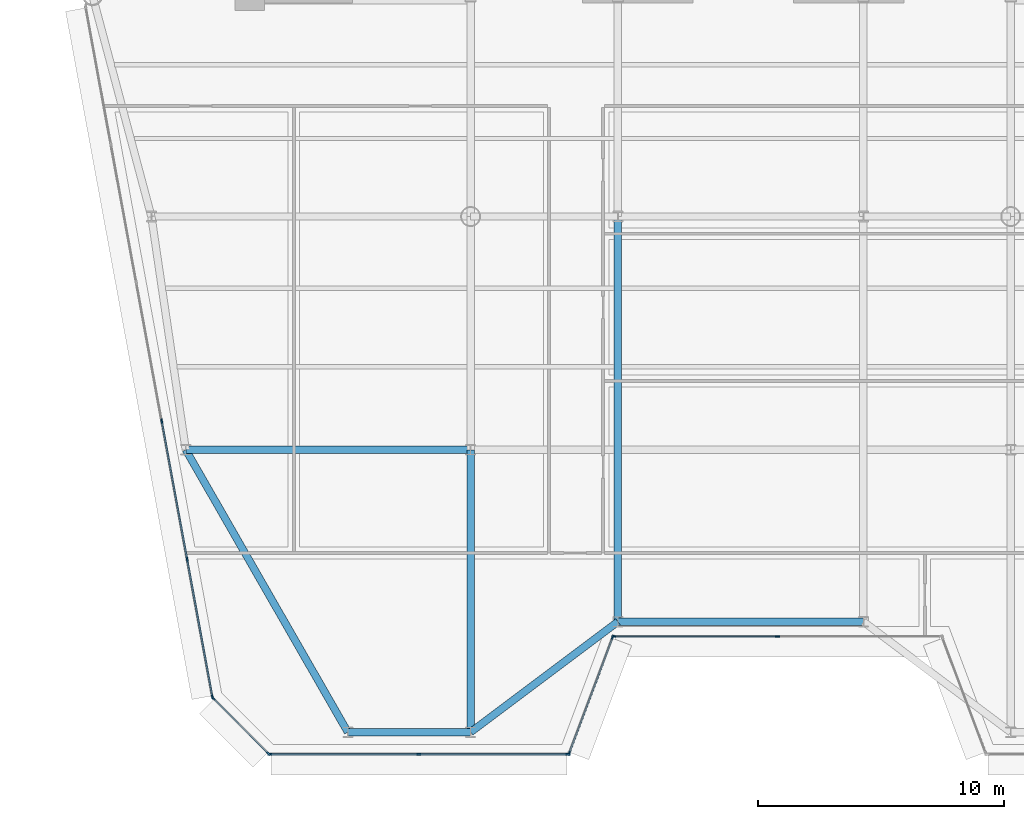
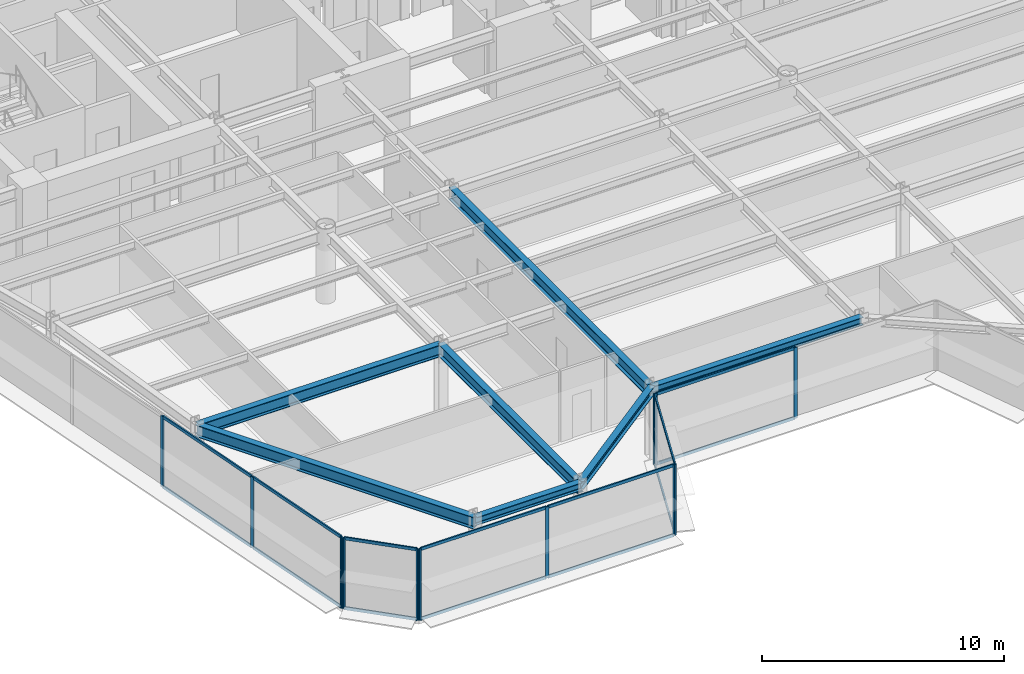
# One storey, part 2 of 16: 26 members, 7 beams, 5 elements without a shape of their own.
"""IFC4 building model written with IfcOpenShell, lengths in metres."""

from ifc_helpers import new_model, si_unit, direction, frame, origin, origin_2d, place, context, subcontext, project, spatial, rectangle, i_section, extrude, source, transform, mapped, material, layer, layer_set, material_profile, profile_set, type_object, element, aggregate, save


model = new_model("IFC4")

# Units and contexts
model_context = context("Model", 3, precision=1e-05, world=origin(), true_north=direction((0.0, 1.0)))
body_context = subcontext(model_context, "Body", "Model", "MODEL_VIEW")
ifc_project = project(units=[si_unit("LENGTHUNIT", "METRE"), si_unit("AREAUNIT", "SQUARE_METRE"), si_unit("VOLUMEUNIT", "CUBIC_METRE"), si_unit("PLANEANGLEUNIT", "RADIAN"), si_unit("MASSUNIT", "GRAM", prefix="KILO")], contexts=[model_context])

# Site, building, storey
site_placement = place(None, origin())
site = spatial("IfcSite", under=ifc_project, at=site_placement, CompositionType="ELEMENT")
building_placement = place(site_placement, origin())
building = spatial("IfcBuilding", under=site, at=building_placement, Name="Vaeldorn Concourse Tower", CompositionType="ELEMENT")
storey_placement = place(building_placement, frame((0.0, 0.0, 195.60009765625)))
storey = spatial("IfcBuildingStorey", under=building, at=storey_placement, Name="L50", CompositionType="ELEMENT", Elevation=195.60009765625)

# Beams
ifc_material_1 = material(Name="Steel S355", Category="steel")
ifc_material_profile_1 = material_profile(ifc_material_1, i_section(OverallWidth=0.300048828125, OverallDepth=0.60009765625, WebThickness=0.015380859375, FlangeThickness=0.030029296875, FilletRadius=0.027099609375, at=origin_2d()), Name="HEB 600")
ifc_profile_set_1 = profile_set([ifc_material_profile_1], Name="Steel S355")
beam_type_1 = type_object("IfcBeamType", Name="BM-PG-HEB600", PredefinedType="BEAM", material=ifc_profile_set_1)
shared_shape_1 = source(origin(), body_context, "Body", "SweptSolid", [
    extrude(i_section(OverallWidth=0.300048828125, OverallDepth=0.60009765625, WebThickness=0.015380859375, FlangeThickness=0.030029296875, FilletRadius=0.027099609375, at=origin_2d()), origin(), (0.0, 0.0, 1.0), 11.60009765625),
])
beam_1_placement = place(storey_placement, frame((11.39990234375, 18.0, 3.27978515625), z_axis=(1.0, 0.0, 0.0), x_axis=(0.0, 1.0, 0.0)))
element("IfcBeam", 1, at=beam_1_placement, inside=storey, type_object=beam_type_1, Name="Beam BM-L50-C-FLW2-C-TW5", PredefinedType="BEAM", context=body_context, shape_type="MappedRepresentation", body=[
    mapped(shared_shape_1, transform((0.0, 0.0, 0.0), scale=1.0)),
])
shared_shape_2 = source(origin(), body_context, "Body", "SweptSolid", [
    extrude(i_section(OverallWidth=0.300048828125, OverallDepth=0.60009765625, WebThickness=0.015380859375, FlangeThickness=0.030029296875, FilletRadius=0.027099609375, at=origin_2d()), origin(), (0.0, 0.0, 1.0), 13.25927734375),
])
beam_2_placement = place(storey_placement, frame((18.0, 6.5, 3.27978515625), z_axis=(-0.497768009943, 0.867310214558, 0.0), x_axis=(-0.867310214558, -0.497768009943, 0.0)))
element("IfcBeam", 2, at=beam_2_placement, inside=storey, type_object=beam_type_1, Name="Beam BM-L50-C-SF1-C-FLW2", PredefinedType="BEAM", context=body_context, shape_type="MappedRepresentation", body=[
    mapped(shared_shape_2, transform((0.0, 0.0, 0.0), scale=1.0)),
])
shared_shape_3 = source(origin(), body_context, "Body", "SweptSolid", [
    extrude(i_section(OverallWidth=0.300048828125, OverallDepth=0.60009765625, WebThickness=0.015380859375, FlangeThickness=0.030029296875, FilletRadius=0.027099609375, at=origin_2d()), origin(), (0.0, 0.0, 1.0), 11.5),
])
beam_3_placement = place(storey_placement, frame((23.0, 6.5, 3.27978515625), z_axis=(0.0, 1.0, 0.0), x_axis=(-1.0, 0.0, 0.0)))
element("IfcBeam", 3, at=beam_3_placement, inside=storey, type_object=beam_type_1, Name="Beam BM-L50-C-SF2-C-TW5", PredefinedType="BEAM", context=body_context, shape_type="MappedRepresentation", body=[
    mapped(shared_shape_3, transform((0.0, 0.0, 0.0), scale=1.0)),
])
shared_shape_4 = source(origin(), body_context, "Body", "SweptSolid", [
    extrude(i_section(OverallWidth=0.300048828125, OverallDepth=0.60009765625, WebThickness=0.015380859375, FlangeThickness=0.030029296875, FilletRadius=0.027099609375, at=origin_2d()), origin(), (0.0, 0.0, 1.0), 16.5),
])
beam_4_placement = place(storey_placement, frame((29.0, 11.0, 3.27978515625), z_axis=(0.0, 1.0, 0.0), x_axis=(-1.0, 0.0, 0.0)))
element("IfcBeam", 4, at=beam_4_placement, inside=storey, type_object=beam_type_1, Name="Beam BM-L50-C-SF3-C-TW2", PredefinedType="BEAM", context=body_context, shape_type="MappedRepresentation", body=[
    mapped(shared_shape_4, transform((0.0, 0.0, 0.0), scale=1.0)),
])
ifc_material_profile_2 = material_profile(ifc_material_1, i_section(OverallWidth=0.300048828125, OverallDepth=0.39990234375, WebThickness=0.013427734375, FlangeThickness=0.02392578125, FilletRadius=0.027099609375, at=origin_2d()), Name="HEB 400")
ifc_profile_set_2 = profile_set([ifc_material_profile_2], Name="Steel S355")
beam_type_2 = type_object("IfcBeamType", Name="BM-SP-HEB400", PredefinedType="SPANDREL", material=ifc_profile_set_2)
shared_shape_5 = source(origin(), body_context, "Body", "SweptSolid", [
    extrude(i_section(OverallWidth=0.300048828125, OverallDepth=0.39990234375, WebThickness=0.013427734375, FlangeThickness=0.02392578125, FilletRadius=0.027099609375, at=origin_2d()), origin(), (0.0, 0.0, 1.0), 5.0),
])
beam_5_placement = place(storey_placement, frame((18.0, 6.5, 3.3798828125), z_axis=(1.0, 0.0, 0.0), x_axis=(0.0, 1.0, 0.0)))
element("IfcBeam", 5, at=beam_5_placement, inside=storey, type_object=beam_type_2, Name="Beam BM-L50-C-SF1-C-SF2", PredefinedType="SPANDREL", context=body_context, shape_type="MappedRepresentation", body=[
    mapped(shared_shape_5, transform((0.0, 0.0, 0.0), scale=1.0)),
])
shared_shape_6 = source(origin(), body_context, "Body", "SweptSolid", [
    extrude(i_section(OverallWidth=0.300048828125, OverallDepth=0.39990234375, WebThickness=0.013427734375, FlangeThickness=0.02392578125, FilletRadius=0.027099609375, at=origin_2d()), origin(), (0.0, 0.0, 1.0), 7.5),
])
beam_6_placement = place(storey_placement, frame((23.0, 6.5, 3.3798828125), z_axis=(0.8, 0.6, 0.0), x_axis=(-0.6, 0.8, 0.0)))
element("IfcBeam", 6, at=beam_6_placement, inside=storey, type_object=beam_type_2, Name="Beam BM-L50-C-SF2-C-SF3", PredefinedType="SPANDREL", context=body_context, shape_type="MappedRepresentation", body=[
    mapped(shared_shape_6, transform((0.0, 0.0, 0.0), scale=1.0)),
])
shared_shape_7 = source(origin(), body_context, "Body", "SweptSolid", [
    extrude(i_section(OverallWidth=0.300048828125, OverallDepth=0.39990234375, WebThickness=0.013427734375, FlangeThickness=0.02392578125, FilletRadius=0.027099609375, at=origin_2d()), origin(), (0.0, 0.0, 1.0), 10.0),
])
beam_7_placement = place(storey_placement, frame((29.0, 11.0, 3.3798828125), z_axis=(1.0, 0.0, 0.0), x_axis=(0.0, 1.0, 0.0)))
element("IfcBeam", 7, at=beam_7_placement, inside=storey, type_object=beam_type_2, Name="Beam BM-L50-C-SF3-C-SF4", PredefinedType="SPANDREL", context=body_context, shape_type="MappedRepresentation", body=[
    mapped(shared_shape_7, transform((0.0, 0.0, 0.0), scale=1.0)),
])

# Curtain wall, members
ifc_material_2 = material(Name="Anodised Bronze Aluminium", Category="aluminium")
ifc_layer = layer(ifc_material_2, 0.18994140625)
ifc_layer_set = layer_set([ifc_layer], Name="Anodised Bronze Aluminium")
curtain_wall_type = type_object("IfcCurtainWallType", Name="CW-SYS-03", PredefinedType="NOTDEFINED", material=ifc_layer_set)
curtain_wall_1_placement = place(storey_placement, origin())
curtain_wall_1 = element("IfcCurtainWall", 8, at=curtain_wall_1_placement, inside=storey, type_object=curtain_wall_type, Name="Unitised Curtain Wall CW-L50-E01-1", PredefinedType="NOTDEFINED")
ifc_material_profile_3 = material_profile(ifc_material_2, rectangle(XDim=0.06494140625, YDim=0.169921875, at=origin_2d()), Name="CWM 65x170")
ifc_profile_set_3 = profile_set([ifc_material_profile_3], Name="Anodised Bronze Aluminium")
member_type_1 = type_object("IfcMemberType", Name="CWM-BRONZE-170", PredefinedType="MULLION", material=ifc_profile_set_3)
shared_shape_8 = source(origin(), body_context, "Body", "SweptSolid", [
    extrude(rectangle(XDim=0.06494140625, YDim=0.169921875, at=origin_2d()), origin(), (0.0, 0.0, 1.0), 3.579833984375),
])
member_1_placement = place(storey_placement, frame((14.823486328125, 5.60009765625, 0.0), z_axis=(0.0, 0.0, 1.0), x_axis=(0.0, 1.0, 0.0)))
member_1 = element("IfcMember", 9, at=member_1_placement, type_object=member_type_1, Name="CW-03 mullion 1", PredefinedType="MULLION", context=body_context, shape_type="MappedRepresentation", body=[
    mapped(shared_shape_8, transform((0.0, 0.0, 0.0), scale=1.0)),
])
member_2_placement = place(storey_placement, frame((20.8955078125, 5.60009765625, 0.0), z_axis=(0.0, 0.0, 1.0), x_axis=(0.0, 1.0, 0.0)))
member_2 = element("IfcMember", 10, at=member_2_placement, type_object=member_type_1, Name="CW-03 mullion 2", PredefinedType="MULLION", context=body_context, shape_type="MappedRepresentation", body=[
    mapped(shared_shape_8, transform((0.0, 0.0, 0.0), scale=1.0)),
])
member_3_placement = place(storey_placement, frame((26.967529296875, 5.60009765625, 0.0), z_axis=(0.0, 0.0, 1.0), x_axis=(0.0, 1.0, 0.0)))
member_3 = element("IfcMember", 11, at=member_3_placement, type_object=member_type_1, Name="CW-03 mullion 3", PredefinedType="MULLION", context=body_context, shape_type="MappedRepresentation", body=[
    mapped(shared_shape_8, transform((0.0, 0.0, 0.0), scale=1.0)),
])

curtain_wall_2_placement = place(storey_placement, origin())
curtain_wall_2 = element("IfcCurtainWall", 12, at=curtain_wall_2_placement, inside=storey, type_object=curtain_wall_type, Name="Unitised Curtain Wall CW-L50-E02-1", PredefinedType="NOTDEFINED")
member_4_placement = place(storey_placement, frame((27.011474609375, 5.63037109375, 0.0), z_axis=(0.0, 0.0, 1.0), x_axis=(-0.936329177566, 0.351123441595, 0.0)))
member_4 = element("IfcMember", 13, at=member_4_placement, type_object=member_type_1, Name="CW-03 mullion 1", PredefinedType="MULLION", context=body_context, shape_type="MappedRepresentation", body=[
    mapped(shared_shape_8, transform((0.0, 0.0, 0.0), scale=1.0)),
])
member_5_placement = place(storey_placement, frame((28.78857421875, 10.36962890625, 0.0), z_axis=(0.0, 0.0, 1.0), x_axis=(-0.936329177566, 0.351123441595, 0.0)))
member_5 = element("IfcMember", 14, at=member_5_placement, type_object=member_type_1, Name="CW-03 mullion 2", PredefinedType="MULLION", context=body_context, shape_type="MappedRepresentation", body=[
    mapped(shared_shape_8, transform((0.0, 0.0, 0.0), scale=1.0)),
])

curtain_wall_3_placement = place(storey_placement, origin())
curtain_wall_3 = element("IfcCurtainWall", 15, at=curtain_wall_3_placement, inside=storey, type_object=curtain_wall_type, Name="Unitised Curtain Wall CW-L50-E03-1", PredefinedType="NOTDEFINED")
member_6_placement = place(storey_placement, frame((28.83251953125, 10.39990234375, 0.0), z_axis=(0.0, 0.0, 1.0), x_axis=(0.0, 1.0, 0.0)))
member_6 = element("IfcMember", 16, at=member_6_placement, type_object=member_type_1, Name="CW-03 mullion 1", PredefinedType="MULLION", context=body_context, shape_type="MappedRepresentation", body=[
    mapped(shared_shape_8, transform((0.0, 0.0, 0.0), scale=1.0)),
])
member_7_placement = place(storey_placement, frame((35.5, 10.39990234375, 0.0), z_axis=(0.0, 0.0, 1.0), x_axis=(0.0, 1.0, 0.0)))
member_7 = element("IfcMember", 17, at=member_7_placement, type_object=member_type_1, Name="CW-03 mullion 2", PredefinedType="MULLION", context=body_context, shape_type="MappedRepresentation", body=[
    mapped(shared_shape_8, transform((0.0, 0.0, 0.0), scale=1.0)),
])

curtain_wall_4_placement = place(storey_placement, origin())
curtain_wall_4 = element("IfcCurtainWall", 18, at=curtain_wall_4_placement, inside=storey, type_object=curtain_wall_type, Name="Unitised Curtain Wall CW-L50-E11-2", PredefinedType="NOTDEFINED")
member_8_placement = place(storey_placement, frame((10.421142578125, 19.17333984375, 0.0), z_axis=(0.0, 0.0, 1.0), x_axis=(0.983559325018, 0.180585309951, 0.0)))
member_8 = element("IfcMember", 19, at=member_8_placement, type_object=member_type_1, Name="CW-03 mullion 4", PredefinedType="MULLION", context=body_context, shape_type="MappedRepresentation", body=[
    mapped(shared_shape_8, transform((0.0, 0.0, 0.0), scale=1.0)),
])
member_9_placement = place(storey_placement, frame((11.4560546875, 13.53662109375, 0.0), z_axis=(0.0, 0.0, 1.0), x_axis=(0.983559325018, 0.180585309951, 0.0)))
member_9 = element("IfcMember", 20, at=member_9_placement, type_object=member_type_1, Name="CW-03 mullion 5", PredefinedType="MULLION", context=body_context, shape_type="MappedRepresentation", body=[
    mapped(shared_shape_8, transform((0.0, 0.0, 0.0), scale=1.0)),
])
member_10_placement = place(storey_placement, frame((12.485107421875, 7.931884765625, 0.0), z_axis=(0.0, 0.0, 1.0), x_axis=(0.983559325018, 0.180585309951, 0.0)))
member_10 = element("IfcMember", 21, at=member_10_placement, type_object=member_type_1, Name="CW-03 mullion 6", PredefinedType="MULLION", context=body_context, shape_type="MappedRepresentation", body=[
    mapped(shared_shape_8, transform((0.0, 0.0, 0.0), scale=1.0)),
])

curtain_wall_5_placement = place(storey_placement, origin())
curtain_wall_5 = element("IfcCurtainWall", 22, at=curtain_wall_5_placement, inside=storey, type_object=curtain_wall_type, Name="Unitised Curtain Wall CW-L50-E12-1", PredefinedType="NOTDEFINED")
member_11_placement = place(storey_placement, frame((12.513916015625, 7.876953125, 0.0), z_axis=(0.0, 0.0, 1.0), x_axis=(0.707106781187, 0.707106781187, 0.0)))
member_11 = element("IfcMember", 23, at=member_11_placement, type_object=member_type_1, Name="CW-03 mullion 1", PredefinedType="MULLION", context=body_context, shape_type="MappedRepresentation", body=[
    mapped(shared_shape_8, transform((0.0, 0.0, 0.0), scale=1.0)),
])
member_12_placement = place(storey_placement, frame((14.76806640625, 5.623046875, 0.0), z_axis=(0.0, 0.0, 1.0), x_axis=(0.707106781187, 0.707106781187, 0.0)))
member_12 = element("IfcMember", 24, at=member_12_placement, type_object=member_type_1, Name="CW-03 mullion 2", PredefinedType="MULLION", context=body_context, shape_type="MappedRepresentation", body=[
    mapped(shared_shape_8, transform((0.0, 0.0, 0.0), scale=1.0)),
])

# Member
ifc_material_profile_4 = material_profile(ifc_material_2, rectangle(XDim=0.06494140625, YDim=0.14990234375, at=origin_2d()), Name="CWT 65x150")
ifc_profile_set_4 = profile_set([ifc_material_profile_4], Name="Anodised Bronze Aluminium")
member_type_2 = type_object("IfcMemberType", Name="CWT-BRONZE-150", PredefinedType="USERDEFINED", material=ifc_profile_set_4)
shared_shape_9 = source(origin(), body_context, "Body", "SweptSolid", [
    extrude(rectangle(XDim=0.06494140625, YDim=0.14990234375, at=origin_2d()), origin(), (0.0, 0.0, 1.0), 4.996337890625),
])
member_13_placement = place(storey_placement, frame((27.022705078125, 5.660888671875, 0.032470703125), z_axis=(0.351134151405, 0.936325161318, 0.0), x_axis=(-0.936325161318, 0.351134151405, 0.0)))
member_13 = element("IfcMember", 25, at=member_13_placement, type_object=member_type_2, Name="CW-03 transom 1.1", ObjectType="TRANSOM", PredefinedType="USERDEFINED", context=body_context, shape_type="MappedRepresentation", body=[
    mapped(shared_shape_9, transform((0.0, 0.0, 0.0), scale=1.0)),
])

member_14_placement = place(storey_placement, frame((27.022705078125, 5.660888671875, 3.54736328125), z_axis=(0.351134151405, 0.936325161318, 0.0), x_axis=(-0.936325161318, 0.351134151405, 0.0)))
member_14 = element("IfcMember", 26, at=member_14_placement, type_object=member_type_2, Name="CW-03 transom 1.2", ObjectType="TRANSOM", PredefinedType="USERDEFINED", context=body_context, shape_type="MappedRepresentation", body=[
    mapped(shared_shape_9, transform((0.0, 0.0, 0.0), scale=1.0)),
])

aggregate(curtain_wall_2, [member_4, member_5, member_13, member_14])

shared_shape_10 = source(origin(), body_context, "Body", "SweptSolid", [
    extrude(rectangle(XDim=0.06494140625, YDim=0.14990234375, at=origin_2d()), origin(), (0.0, 0.0, 1.0), 6.6025390625),
])
member_15_placement = place(storey_placement, frame((28.864990234375, 10.39990234375, 0.032470703125), z_axis=(1.0, 0.0, 0.0), x_axis=(0.0, 1.0, 0.0)))
member_15 = element("IfcMember", 27, at=member_15_placement, type_object=member_type_2, Name="CW-03 transom 1.1", ObjectType="TRANSOM", PredefinedType="USERDEFINED", context=body_context, shape_type="MappedRepresentation", body=[
    mapped(shared_shape_10, transform((0.0, 0.0, 0.0), scale=1.0)),
])

member_16_placement = place(storey_placement, frame((28.864990234375, 10.39990234375, 3.54736328125), z_axis=(1.0, 0.0, 0.0), x_axis=(0.0, 1.0, 0.0)))
member_16 = element("IfcMember", 28, at=member_16_placement, type_object=member_type_2, Name="CW-03 transom 1.2", ObjectType="TRANSOM", PredefinedType="USERDEFINED", context=body_context, shape_type="MappedRepresentation", body=[
    mapped(shared_shape_10, transform((0.0, 0.0, 0.0), scale=1.0)),
])

aggregate(curtain_wall_3, [member_6, member_7, member_15, member_16])

shared_shape_11 = source(origin(), body_context, "Body", "SweptSolid", [
    extrude(rectangle(XDim=0.06494140625, YDim=0.14990234375, at=origin_2d()), origin(), (0.0, 0.0, 1.0), 3.122802734375),
])
member_17_placement = place(storey_placement, frame((12.536865234375, 7.85400390625, 0.032470703125), z_axis=(0.707145870536, -0.707067689676, 0.0), x_axis=(0.707067689676, 0.707145870536, 0.0)))
member_17 = element("IfcMember", 29, at=member_17_placement, type_object=member_type_2, Name="CW-03 transom 1.1", ObjectType="TRANSOM", PredefinedType="USERDEFINED", context=body_context, shape_type="MappedRepresentation", body=[
    mapped(shared_shape_11, transform((0.0, 0.0, 0.0), scale=1.0)),
])

member_18_placement = place(storey_placement, frame((12.536865234375, 7.85400390625, 3.54736328125), z_axis=(0.707145870536, -0.707067689676, 0.0), x_axis=(0.707067689676, 0.707145870536, 0.0)))
member_18 = element("IfcMember", 30, at=member_18_placement, type_object=member_type_2, Name="CW-03 transom 1.2", ObjectType="TRANSOM", PredefinedType="USERDEFINED", context=body_context, shape_type="MappedRepresentation", body=[
    mapped(shared_shape_11, transform((0.0, 0.0, 0.0), scale=1.0)),
])

aggregate(curtain_wall_5, [member_11, member_12, member_17, member_18])

shared_shape_12 = source(origin(), body_context, "Body", "SweptSolid", [
    extrude(rectangle(XDim=0.06494140625, YDim=0.14990234375, at=origin_2d()), origin(), (0.0, 0.0, 1.0), 5.63330078125),
])
member_19_placement = place(storey_placement, frame((11.4619140625, 13.504638671875, 0.032470703125), z_axis=(0.180589917692, -0.983558479008, 0.0), x_axis=(0.983558479008, 0.180589917692, 0.0)))
member_19 = element("IfcMember", 31, at=member_19_placement, type_object=member_type_2, Name="CW-03 transom 5.1", ObjectType="TRANSOM", PredefinedType="USERDEFINED", context=body_context, shape_type="MappedRepresentation", body=[
    mapped(shared_shape_12, transform((0.0, 0.0, 0.0), scale=1.0)),
])

member_20_placement = place(storey_placement, frame((11.4619140625, 13.504638671875, 3.54736328125), z_axis=(0.180589917692, -0.983558479008, 0.0), x_axis=(0.983558479008, 0.180589917692, 0.0)))
member_20 = element("IfcMember", 32, at=member_20_placement, type_object=member_type_2, Name="CW-03 transom 5.2", ObjectType="TRANSOM", PredefinedType="USERDEFINED", context=body_context, shape_type="MappedRepresentation", body=[
    mapped(shared_shape_12, transform((0.0, 0.0, 0.0), scale=1.0)),
])

shared_shape_13 = source(origin(), body_context, "Body", "SweptSolid", [
    extrude(rectangle(XDim=0.06494140625, YDim=0.14990234375, at=origin_2d()), origin(), (0.0, 0.0, 1.0), 5.666015625),
])
member_21_placement = place(storey_placement, frame((10.427001953125, 19.141357421875, 0.032470703125), z_axis=(0.180587719149, -0.983558882677, 0.0), x_axis=(0.983558882677, 0.180587719149, 0.0)))
member_21 = element("IfcMember", 33, at=member_21_placement, type_object=member_type_2, Name="CW-03 transom 4.1", ObjectType="TRANSOM", PredefinedType="USERDEFINED", context=body_context, shape_type="MappedRepresentation", body=[
    mapped(shared_shape_13, transform((0.0, 0.0, 0.0), scale=1.0)),
])

member_22_placement = place(storey_placement, frame((10.427001953125, 19.141357421875, 3.54736328125), z_axis=(0.180587719149, -0.983558882677, 0.0), x_axis=(0.983558882677, 0.180587719149, 0.0)))
member_22 = element("IfcMember", 34, at=member_22_placement, type_object=member_type_2, Name="CW-03 transom 4.2", ObjectType="TRANSOM", PredefinedType="USERDEFINED", context=body_context, shape_type="MappedRepresentation", body=[
    mapped(shared_shape_13, transform((0.0, 0.0, 0.0), scale=1.0)),
])

aggregate(curtain_wall_4, [member_8, member_9, member_10, member_21, member_22, member_19, member_20])

shared_shape_14 = source(origin(), body_context, "Body", "SweptSolid", [
    extrude(rectangle(XDim=0.06494140625, YDim=0.14990234375, at=origin_2d()), origin(), (0.0, 0.0, 1.0), 6.007080078125),
])
member_23_placement = place(storey_placement, frame((14.85595703125, 5.60009765625, 0.032470703125), z_axis=(1.0, 0.0, 0.0), x_axis=(0.0, 1.0, 0.0)))
member_23 = element("IfcMember", 35, at=member_23_placement, type_object=member_type_2, Name="CW-03 transom 1.1", ObjectType="TRANSOM", PredefinedType="USERDEFINED", context=body_context, shape_type="MappedRepresentation", body=[
    mapped(shared_shape_14, transform((0.0, 0.0, 0.0), scale=1.0)),
])

member_24_placement = place(storey_placement, frame((14.85595703125, 5.60009765625, 3.54736328125), z_axis=(1.0, 0.0, 0.0), x_axis=(0.0, 1.0, 0.0)))
member_24 = element("IfcMember", 36, at=member_24_placement, type_object=member_type_2, Name="CW-03 transom 1.2", ObjectType="TRANSOM", PredefinedType="USERDEFINED", context=body_context, shape_type="MappedRepresentation", body=[
    mapped(shared_shape_14, transform((0.0, 0.0, 0.0), scale=1.0)),
])

member_25_placement = place(storey_placement, frame((20.927978515625, 5.60009765625, 0.032470703125), z_axis=(1.0, 0.0, 0.0), x_axis=(0.0, 1.0, 0.0)))
member_25 = element("IfcMember", 37, at=member_25_placement, type_object=member_type_2, Name="CW-03 transom 2.1", ObjectType="TRANSOM", PredefinedType="USERDEFINED", context=body_context, shape_type="MappedRepresentation", body=[
    mapped(shared_shape_14, transform((0.0, 0.0, 0.0), scale=1.0)),
])

member_26_placement = place(storey_placement, frame((20.927978515625, 5.60009765625, 3.54736328125), z_axis=(1.0, 0.0, 0.0), x_axis=(0.0, 1.0, 0.0)))
member_26 = element("IfcMember", 38, at=member_26_placement, type_object=member_type_2, Name="CW-03 transom 2.2", ObjectType="TRANSOM", PredefinedType="USERDEFINED", context=body_context, shape_type="MappedRepresentation", body=[
    mapped(shared_shape_14, transform((0.0, 0.0, 0.0), scale=1.0)),
])

aggregate(curtain_wall_1, [member_1, member_2, member_3, member_23, member_24, member_25, member_26])

save(model, "model.ifc")
